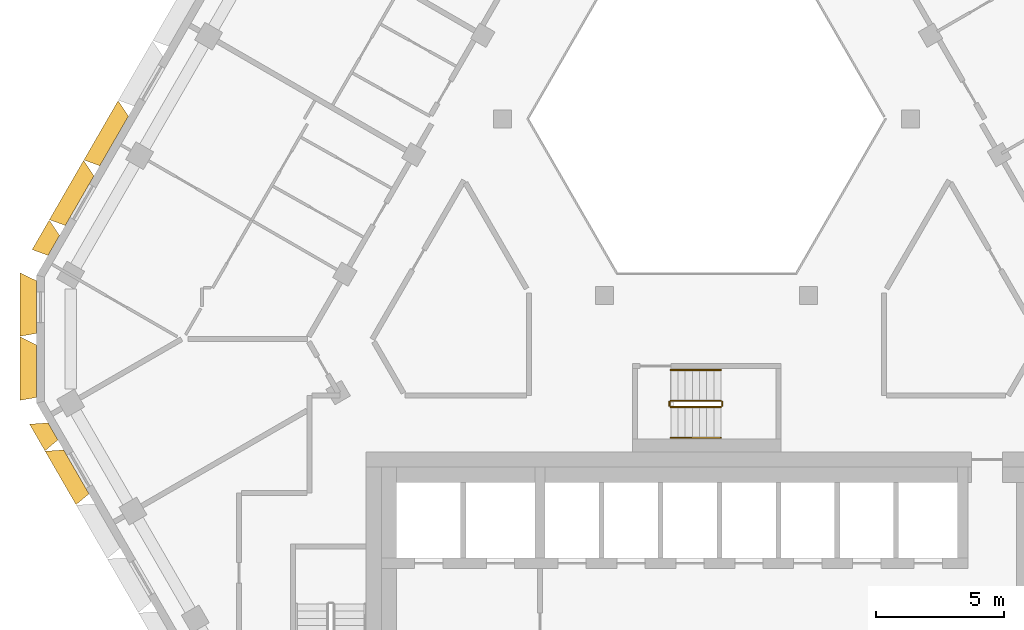
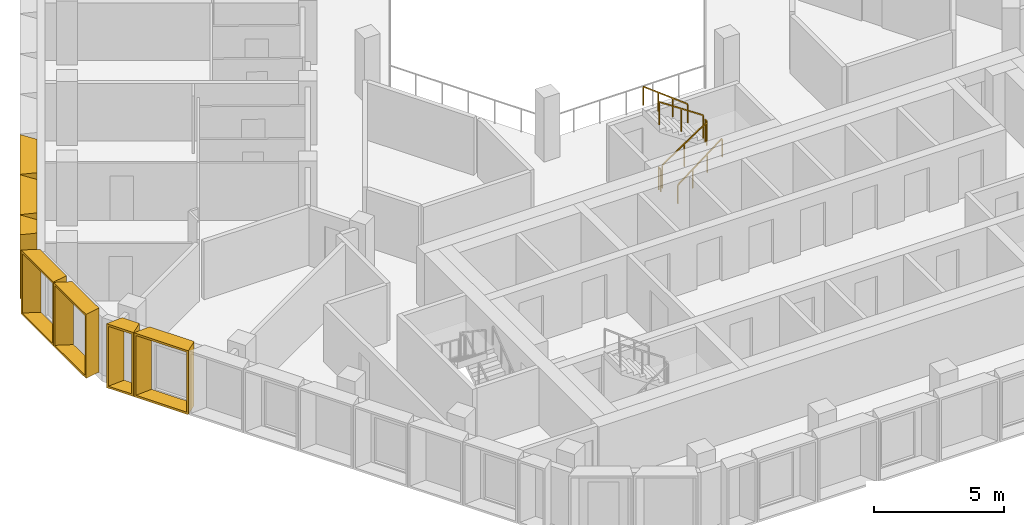
# One storey, part 12 of 15: 7 shading devices, 6 railings.
"""IFC4 building model written with IfcOpenShell, lengths in metres."""

from ifc_helpers import new_model, entity, si_unit, direction, frame, origin, origin_2d, place, context, subcontext, project, spatial, rectangle, extrude, source, transform, mapped, material, type_object, type_shapes, element, save


model = new_model("IFC4")

# Units and contexts
model_context = context("Model", 3, precision=1e-05, world=origin(), true_north=direction((0.0, 1.0)))
body_context = subcontext(model_context, "Body", "Model", "MODEL_VIEW")
ifc_project = project(units=[si_unit("LENGTHUNIT", "METRE"), si_unit("AREAUNIT", "SQUARE_METRE"), si_unit("VOLUMEUNIT", "CUBIC_METRE"), si_unit("PLANEANGLEUNIT", "RADIAN"), si_unit("MASSUNIT", "GRAM", prefix="KILO")], contexts=[model_context])

# Site, building, storey
site_placement = place(None, origin())
site = spatial("IfcSite", under=ifc_project, at=site_placement, CompositionType="ELEMENT")
building_placement = place(site_placement, origin())
building = spatial("IfcBuilding", under=site, at=building_placement, Name="Beryl Residences", CompositionType="ELEMENT")
storey_placement = place(building_placement, frame((0.0, 0.0, 163.199951171875)))
storey = spatial("IfcBuildingStorey", under=building, at=storey_placement, Name="L49", CompositionType="ELEMENT", Elevation=163.199951171875)

# Shading devices
ifc_material_1 = material(Name="Aluminium pale anodised", Category="aluminium")
shading_device_type_1 = type_object("IfcShadingDeviceType", Name="FR122-65B OUTER SKIN frame 650 mm deep, splay 26/10 deg, 1220 x 3000 mm cell", PredefinedType="USERDEFINED", material=ifc_material_1)
cartesian_point_1 = entity("IfcCartesianPoint", [-0.384033203125, 0.0])
cartesian_point_2 = entity("IfcCartesianPoint", [-0.294921875, 0.10009765625])
cartesian_point_3 = entity("IfcCartesianPoint", [-0.700927734375, 0.0])
cartesian_point_4 = entity("IfcCartesianPoint", [-0.612060546875, 0.10009765625])
shared_shape_1 = source(origin(), body_context, "Body", "SweptSolid", [
    entity("IfcExtrudedAreaSolidTapered", entity("IfcArbitraryProfileDefWithVoids", "AREA", None, entity("IfcPolyline", [cartesian_point_1, entity("IfcCartesianPoint", [0.384033203125, 0.0]), entity("IfcCartesianPoint", [0.384033203125, 3.0]), entity("IfcCartesianPoint", [-0.384033203125, 3.0]), cartesian_point_1]), [entity("IfcPolyline", [cartesian_point_2, entity("IfcCartesianPoint", [0.302734375, 0.10009765625]), entity("IfcCartesianPoint", [0.302734375, 2.89990234375]), entity("IfcCartesianPoint", [-0.294921875, 2.89990234375]), cartesian_point_2])]), entity("IfcAxis2Placement3D", entity("IfcCartesianPoint", [0.0, 0.0, 0.0]), entity("IfcDirection", [0.0, 1.0, 0.0]), entity("IfcDirection", [-1.0, 0.0, 0.0])), entity("IfcDirection", [0.0, 0.0, 1.0]), 0.64990234375, entity("IfcArbitraryProfileDefWithVoids", "AREA", None, entity("IfcPolyline", [cartesian_point_3, entity("IfcCartesianPoint", [0.49853515625, 0.0]), entity("IfcCartesianPoint", [0.49853515625, 3.0]), entity("IfcCartesianPoint", [-0.700927734375, 3.0]), cartesian_point_3]), [entity("IfcPolyline", [cartesian_point_4, entity("IfcCartesianPoint", [0.41748046875, 0.10009765625]), entity("IfcCartesianPoint", [0.41748046875, 2.89990234375]), entity("IfcCartesianPoint", [-0.612060546875, 2.89990234375]), cartesian_point_4])])),
])
type_shapes(shading_device_type_1, [shared_shape_1])
shading_device_1_placement = place(storey_placement, frame((-25.51708984375, -4.200927734375, 0.0), z_axis=(0.0, 0.0, 1.0), x_axis=(-0.5, 0.866025403784, 0.0)))
element("IfcShadingDevice", 1, at=shading_device_1_placement, inside=storey, type_object=shading_device_type_1, Name="FR122-65B frame L49 SW 1", ObjectType="OUTER SKIN", PredefinedType="USERDEFINED", context=body_context, shape_type="MappedRepresentation", body=[
    mapped(shared_shape_1, transform((0.0, 0.0, 0.0))),
])
ifc_material_2 = material(Name="Aluminium pale anodised", Category="aluminium")
shading_device_type_2 = type_object("IfcShadingDeviceType", Name="FR135-65B OUTER SKIN frame 650 mm deep, splay 26/10 deg, 1350 x 3000 mm cell", PredefinedType="USERDEFINED", material=ifc_material_2)
cartesian_point_5 = entity("IfcCartesianPoint", [-0.448974609375, 0.0])
cartesian_point_6 = entity("IfcCartesianPoint", [-0.360107421875, 0.10009765625])
cartesian_point_7 = entity("IfcCartesianPoint", [-0.76611328125, 0.0])
cartesian_point_8 = entity("IfcCartesianPoint", [-0.677001953125, 0.10009765625])
shared_shape_2 = source(origin(), body_context, "Body", "SweptSolid", [
    entity("IfcExtrudedAreaSolidTapered", entity("IfcArbitraryProfileDefWithVoids", "AREA", None, entity("IfcPolyline", [cartesian_point_5, entity("IfcCartesianPoint", [0.448974609375, 0.0]), entity("IfcCartesianPoint", [0.448974609375, 3.0]), entity("IfcCartesianPoint", [-0.448974609375, 3.0]), cartesian_point_5]), [entity("IfcPolyline", [cartesian_point_6, entity("IfcCartesianPoint", [0.36767578125, 0.10009765625]), entity("IfcCartesianPoint", [0.36767578125, 2.89990234375]), entity("IfcCartesianPoint", [-0.360107421875, 2.89990234375]), cartesian_point_6])]), entity("IfcAxis2Placement3D", entity("IfcCartesianPoint", [0.0, 0.0, 0.0]), entity("IfcDirection", [0.0, 1.0, 0.0]), entity("IfcDirection", [-1.0, 0.0, 0.0])), entity("IfcDirection", [0.0, 0.0, 1.0]), 0.64990234375, entity("IfcArbitraryProfileDefWithVoids", "AREA", None, entity("IfcPolyline", [cartesian_point_7, entity("IfcCartesianPoint", [0.563720703125, 0.0]), entity("IfcCartesianPoint", [0.563720703125, 3.0]), entity("IfcCartesianPoint", [-0.76611328125, 3.0]), cartesian_point_7]), [entity("IfcPolyline", [cartesian_point_8, entity("IfcCartesianPoint", [0.482421875, 0.10009765625]), entity("IfcCartesianPoint", [0.482421875, 2.89990234375]), entity("IfcCartesianPoint", [-0.677001953125, 2.89990234375]), cartesian_point_8])])),
])
type_shapes(shading_device_type_2, [shared_shape_2])
shading_device_2_placement = place(storey_placement, frame((-25.485107421875, 3.056884765625, 0.0), z_axis=(0.0, 0.0, 1.0), x_axis=(0.5, 0.866025403784, 0.0)))
element("IfcShadingDevice", 2, at=shading_device_2_placement, inside=storey, type_object=shading_device_type_2, Name="FR135-65B frame L49 NW 9", ObjectType="OUTER SKIN", PredefinedType="USERDEFINED", context=body_context, shape_type="MappedRepresentation", body=[
    mapped(shared_shape_2, transform((0.0, 0.0, 0.0))),
])
ifc_material_3 = material(Name="Aluminium pale anodised", Category="aluminium")
shading_device_type_3 = type_object("IfcShadingDeviceType", Name="FR243-65B OUTER SKIN frame 650 mm deep, splay 26/10 deg, 2430 x 3000 mm cell", PredefinedType="USERDEFINED", material=ifc_material_3)
cartesian_point_9 = entity("IfcCartesianPoint", [-0.989013671875, 0.0])
cartesian_point_10 = entity("IfcCartesianPoint", [-0.89990234375, 0.10009765625])
cartesian_point_11 = entity("IfcCartesianPoint", [-1.305908203125, 0.0])
cartesian_point_12 = entity("IfcCartesianPoint", [-1.217041015625, 0.10009765625])
shared_shape_3 = source(origin(), body_context, "Body", "SweptSolid", [
    entity("IfcExtrudedAreaSolidTapered", entity("IfcArbitraryProfileDefWithVoids", "AREA", None, entity("IfcPolyline", [cartesian_point_9, entity("IfcCartesianPoint", [0.989013671875, 0.0]), entity("IfcCartesianPoint", [0.989013671875, 3.0]), entity("IfcCartesianPoint", [-0.989013671875, 3.0]), cartesian_point_9]), [entity("IfcPolyline", [cartesian_point_10, entity("IfcCartesianPoint", [0.90771484375, 0.10009765625]), entity("IfcCartesianPoint", [0.90771484375, 2.89990234375]), entity("IfcCartesianPoint", [-0.89990234375, 2.89990234375]), cartesian_point_10])]), entity("IfcAxis2Placement3D", entity("IfcCartesianPoint", [0.0, 0.0, 0.0]), entity("IfcDirection", [0.0, 1.0, 0.0]), entity("IfcDirection", [-1.0, 0.0, 0.0])), entity("IfcDirection", [0.0, 0.0, 1.0]), 0.64990234375, entity("IfcArbitraryProfileDefWithVoids", "AREA", None, entity("IfcPolyline", [cartesian_point_11, entity("IfcCartesianPoint", [1.103515625, 0.0]), entity("IfcCartesianPoint", [1.103515625, 3.0]), entity("IfcCartesianPoint", [-1.305908203125, 3.0]), cartesian_point_11]), [entity("IfcPolyline", [cartesian_point_12, entity("IfcCartesianPoint", [1.0224609375, 0.10009765625]), entity("IfcCartesianPoint", [1.0224609375, 2.89990234375]), entity("IfcCartesianPoint", [-1.217041015625, 2.89990234375]), cartesian_point_12])])),
])
type_shapes(shading_device_type_3, [shared_shape_3])
shading_device_3_placement = place(storey_placement, frame((-24.60498046875, -5.781005859375, 0.0), z_axis=(0.0, 0.0, 1.0), x_axis=(-0.5, 0.866025403784, 0.0)))
element("IfcShadingDevice", 3, at=shading_device_3_placement, inside=storey, type_object=shading_device_type_3, Name="FR243-65B frame L49 SW 2", ObjectType="OUTER SKIN", PredefinedType="USERDEFINED", context=body_context, shape_type="MappedRepresentation", body=[
    mapped(shared_shape_3, transform((0.0, 0.0, 0.0))),
])
ifc_material_4 = material(Name="Aluminium pale anodised", Category="aluminium")
shading_device_type_4 = type_object("IfcShadingDeviceType", Name="FR250-65B OUTER SKIN frame 650 mm deep, splay 26/10 deg, 2500 x 3000 mm cell", PredefinedType="USERDEFINED", material=ifc_material_4)
cartesian_point_13 = entity("IfcCartesianPoint", [-1.02392578125, 0.0])
cartesian_point_14 = entity("IfcCartesianPoint", [-0.93505859375, 0.10009765625])
cartesian_point_15 = entity("IfcCartesianPoint", [-1.341064453125, 0.0])
cartesian_point_16 = entity("IfcCartesianPoint", [-1.251953125, 0.10009765625])
shared_shape_4 = source(origin(), body_context, "Body", "SweptSolid", [
    entity("IfcExtrudedAreaSolidTapered", entity("IfcArbitraryProfileDefWithVoids", "AREA", None, entity("IfcPolyline", [cartesian_point_13, entity("IfcCartesianPoint", [1.02392578125, 0.0]), entity("IfcCartesianPoint", [1.02392578125, 3.0]), entity("IfcCartesianPoint", [-1.02392578125, 3.0]), cartesian_point_13]), [entity("IfcPolyline", [cartesian_point_14, entity("IfcCartesianPoint", [0.94287109375, 0.10009765625]), entity("IfcCartesianPoint", [0.94287109375, 2.89990234375]), entity("IfcCartesianPoint", [-0.93505859375, 2.89990234375]), cartesian_point_14])]), entity("IfcAxis2Placement3D", entity("IfcCartesianPoint", [0.0, 0.0, 0.0]), entity("IfcDirection", [0.0, 1.0, 0.0]), entity("IfcDirection", [-1.0, 0.0, 0.0])), entity("IfcDirection", [0.0, 0.0, 1.0]), 0.64990234375, entity("IfcArbitraryProfileDefWithVoids", "AREA", None, entity("IfcPolyline", [cartesian_point_15, entity("IfcCartesianPoint", [1.138671875, 0.0]), entity("IfcCartesianPoint", [1.138671875, 3.0]), entity("IfcCartesianPoint", [-1.341064453125, 3.0]), cartesian_point_15]), [entity("IfcPolyline", [cartesian_point_16, entity("IfcCartesianPoint", [1.057373046875, 0.10009765625]), entity("IfcCartesianPoint", [1.057373046875, 2.89990234375]), entity("IfcCartesianPoint", [-1.251953125, 2.89990234375]), cartesian_point_16])])),
])
type_shapes(shading_device_type_4, [shared_shape_4])
for number, where, z_axis, x_axis, name in (
    (4, (-26.154052734375, 0.64990234375, 0.0), (0.0, 0.0, 1.0), (0.0, 1.0, 0.0), "FR250-65B frame L49 NW-SW 1"),
    (5, (-26.154052734375, -1.85009765625, 0.0), (0.0, 0.0, 1.0), (0.0, 1.0, 0.0), "FR250-65B frame L49 NW-SW 2"),
):
    element("IfcShadingDevice", number, at=place(storey_placement, frame(where, z_axis=z_axis, x_axis=x_axis)), inside=storey, type_object=shading_device_type_4, Name=name, ObjectType="OUTER SKIN", PredefinedType="USERDEFINED", context=body_context, shape_type="MappedRepresentation", body=[
        mapped(shared_shape_4, transform((0.0, 0.0, 0.0))),
    ])
ifc_material_5 = material(Name="Aluminium pale anodised", Category="aluminium")
shading_device_type_5 = type_object("IfcShadingDeviceType", Name="FR269-65B OUTER SKIN frame 650 mm deep, splay 26/10 deg, 2690 x 3000 mm cell", PredefinedType="USERDEFINED", material=ifc_material_5)
cartesian_point_17 = entity("IfcCartesianPoint", [-1.118896484375, 0.0])
cartesian_point_18 = entity("IfcCartesianPoint", [-1.030029296875, 0.10009765625])
cartesian_point_19 = entity("IfcCartesianPoint", [-1.43603515625, 0.0])
cartesian_point_20 = entity("IfcCartesianPoint", [-1.346923828125, 0.10009765625])
shared_shape_5 = source(origin(), body_context, "Body", "SweptSolid", [
    entity("IfcExtrudedAreaSolidTapered", entity("IfcArbitraryProfileDefWithVoids", "AREA", None, entity("IfcPolyline", [cartesian_point_17, entity("IfcCartesianPoint", [1.118896484375, 0.0]), entity("IfcCartesianPoint", [1.118896484375, 3.0]), entity("IfcCartesianPoint", [-1.118896484375, 3.0]), cartesian_point_17]), [entity("IfcPolyline", [cartesian_point_18, entity("IfcCartesianPoint", [1.037841796875, 0.10009765625]), entity("IfcCartesianPoint", [1.037841796875, 2.89990234375]), entity("IfcCartesianPoint", [-1.030029296875, 2.89990234375]), cartesian_point_18])]), entity("IfcAxis2Placement3D", entity("IfcCartesianPoint", [0.0, 0.0, 0.0]), entity("IfcDirection", [0.0, 1.0, 0.0]), entity("IfcDirection", [-1.0, 0.0, 0.0])), entity("IfcDirection", [0.0, 0.0, 1.0]), 0.64990234375, entity("IfcArbitraryProfileDefWithVoids", "AREA", None, entity("IfcPolyline", [cartesian_point_19, entity("IfcCartesianPoint", [1.233642578125, 0.0]), entity("IfcCartesianPoint", [1.233642578125, 3.0]), entity("IfcCartesianPoint", [-1.43603515625, 3.0]), cartesian_point_19]), [entity("IfcPolyline", [cartesian_point_20, entity("IfcCartesianPoint", [1.15234375, 0.10009765625]), entity("IfcCartesianPoint", [1.15234375, 2.89990234375]), entity("IfcCartesianPoint", [-1.346923828125, 2.89990234375]), cartesian_point_20])])),
])
type_shapes(shading_device_type_5, [shared_shape_5])
for number, where, z_axis, x_axis, name in (
    (6, (-23.1298828125, 7.136962890625, 0.0), (0.0, 0.0, 1.0), (0.5, 0.866025403784, 0.0), "FR269-65B frame L49 NW 7"),
    (7, (-24.47607421875, 4.805908203125, 0.0), (0.0, 0.0, 1.0), (0.5, 0.866025403784, 0.0), "FR269-65B frame L49 NW 8"),
):
    element("IfcShadingDevice", number, at=place(storey_placement, frame(where, z_axis=z_axis, x_axis=x_axis)), inside=storey, type_object=shading_device_type_5, Name=name, ObjectType="OUTER SKIN", PredefinedType="USERDEFINED", context=body_context, shape_type="MappedRepresentation", body=[
        mapped(shared_shape_5, transform((0.0, 0.0, 0.0))),
    ])

# Railings
ifc_material_6 = material(Name="Stainless steel balustrade with glass infill", Category="steel")
railing_type_1 = type_object("IfcRailingType", Name="SG1 stair guard 1100 mm", PredefinedType="GUARDRAIL", material=ifc_material_6)
railing_1_placement = place(storey_placement, frame((-1.39990234375, -3.25, 0.1875)))
element("IfcRailing", 8, at=railing_1_placement, inside=storey, type_object=railing_type_1, Name="L49 ST-4 stair guard 1", PredefinedType="GUARDRAIL", context=body_context, shape_type="SweptSolid", body=[
    extrude(rectangle(XDim=0.048095703125, YDim=0.048095703125, at=origin_2d()), frame((0.0, 0.0, 1.076171875), z_axis=(0.830902050051, 0.0, 0.556418712142), x_axis=(0.0, 1.0, 0.0)), (0.0, 0.0, 1.0), 2.35888671875),
    extrude(rectangle(XDim=0.0419921875, YDim=0.0419921875, at=origin_2d()), origin(), (0.0, 0.0, 1.0), 1.052001953125),
    extrude(rectangle(XDim=0.0419921875, YDim=0.0419921875, at=origin_2d()), frame((0.97998046875, 0.0, 0.65625)), (0.0, 0.0, 1.0), 1.052001953125),
    extrude(rectangle(XDim=0.0419921875, YDim=0.0419921875, at=origin_2d()), frame((1.9599609375, 0.0, 1.3125)), (0.0, 0.0, 1.0), 1.052001953125),
])
railing_2_placement = place(storey_placement, frame((0.610107421875, -3.199951171875, 1.5)))
element("IfcRailing", 9, at=railing_2_placement, inside=storey, type_object=railing_type_1, Name="L49 ST-4 stair guard 2", PredefinedType="GUARDRAIL", context=body_context, shape_type="SweptSolid", body=[
    extrude(rectangle(XDim=0.048095703125, YDim=0.048095703125, at=origin_2d()), frame((0.0, 0.0, 1.076171875), z_axis=(0.0, 1.0, 0.0), x_axis=(-1.0, 0.0, 0.0)), (0.0, 0.0, 1.0), 0.14990234375),
    extrude(rectangle(XDim=0.0419921875, YDim=0.0419921875, at=origin_2d()), origin(), (0.0, 0.0, 1.0), 1.052001953125),
    extrude(rectangle(XDim=0.0419921875, YDim=0.0419921875, at=origin_2d()), frame((0.0, 0.14990234375, 0.0)), (0.0, 0.0, 1.0), 1.052001953125),
])
railing_3_placement = place(storey_placement, frame((0.56005859375, -3.0, 1.6875)))
element("IfcRailing", 10, at=railing_3_placement, inside=storey, type_object=railing_type_1, Name="L49 ST-4 stair guard 3", PredefinedType="GUARDRAIL", context=body_context, shape_type="SweptSolid", body=[
    extrude(rectangle(XDim=0.048095703125, YDim=0.048095703125, at=origin_2d()), frame((0.0, 0.0, 1.076171875), z_axis=(-0.830902050051, 0.0, 0.556418712142), x_axis=(0.0, -1.0, 0.0)), (0.0, 0.0, 1.0), 2.35888671875),
    extrude(rectangle(XDim=0.0419921875, YDim=0.0419921875, at=origin_2d()), origin(), (0.0, 0.0, 1.0), 1.052001953125),
    extrude(rectangle(XDim=0.0419921875, YDim=0.0419921875, at=origin_2d()), frame((-0.97998046875, 0.0, 0.65625)), (0.0, 0.0, 1.0), 1.052001953125),
    extrude(rectangle(XDim=0.0419921875, YDim=0.0419921875, at=origin_2d()), frame((-1.9599609375, 0.0, 1.3125)), (0.0, 0.0, 1.0), 1.052001953125),
])
railing_4_placement = place(storey_placement, frame((-1.449951171875, -3.199951171875, 0.0)))
element("IfcRailing", 11, at=railing_4_placement, inside=storey, type_object=railing_type_1, Name="L49 ST-4 stair guard 4", PredefinedType="GUARDRAIL", context=body_context, shape_type="SweptSolid", body=[
    extrude(rectangle(XDim=0.048095703125, YDim=0.048095703125, at=origin_2d()), frame((0.0, 0.0, 1.076171875), z_axis=(0.0, 1.0, 0.0), x_axis=(-1.0, 0.0, 0.0)), (0.0, 0.0, 1.0), 0.14990234375),
    extrude(rectangle(XDim=0.0419921875, YDim=0.0419921875, at=origin_2d()), origin(), (0.0, 0.0, 1.0), 1.052001953125),
    extrude(rectangle(XDim=0.0419921875, YDim=0.0419921875, at=origin_2d()), frame((0.0, 0.14990234375, 0.0)), (0.0, 0.0, 1.0), 1.052001953125),
])
ifc_material_7 = material(Name="Stainless steel handrail", Category="steel")
railing_type_2 = type_object("IfcRailingType", Name="SRL1 stair handrail 900 mm", PredefinedType="HANDRAIL", material=ifc_material_7)
railing_5_placement = place(storey_placement, frame((-1.39990234375, -4.449951171875, 0.1875)))
element("IfcRailing", 12, at=railing_5_placement, inside=storey, type_object=railing_type_2, Name="L49 ST-4 stair handrail 1", PredefinedType="HANDRAIL", context=body_context, shape_type="SweptSolid", body=[
    extrude(rectangle(XDim=0.048095703125, YDim=0.048095703125, at=origin_2d()), frame((0.0, 0.0, 0.8759765625), z_axis=(0.794121922505, 0.0, 0.607758481798), x_axis=(0.0, 1.0, 0.0)), (0.0, 0.0, 1.0), 2.468017578125),
    extrude(rectangle(XDim=0.0419921875, YDim=0.0419921875, at=origin_2d()), origin(), (0.0, 0.0, 1.0), 0.851806640625),
    extrude(rectangle(XDim=0.0419921875, YDim=0.0419921875, at=origin_2d()), frame((0.6533203125, 0.0, 0.5)), (0.0, 0.0, 1.0), 0.851806640625),
    extrude(rectangle(XDim=0.0419921875, YDim=0.0419921875, at=origin_2d()), frame((1.306640625, 0.0, 1.0)), (0.0, 0.0, 1.0), 0.851806640625),
    extrude(rectangle(XDim=0.0419921875, YDim=0.0419921875, at=origin_2d()), frame((1.9599609375, 0.0, 1.5)), (0.0, 0.0, 1.0), 0.851806640625),
])
railing_6_placement = place(storey_placement, frame((0.56005859375, -1.800048828125, 1.6875)))
element("IfcRailing", 13, at=railing_6_placement, inside=storey, type_object=railing_type_2, Name="L49 ST-4 stair handrail 2", PredefinedType="HANDRAIL", context=body_context, shape_type="SweptSolid", body=[
    extrude(rectangle(XDim=0.048095703125, YDim=0.048095703125, at=origin_2d()), frame((0.0, 0.0, 0.8759765625), z_axis=(-0.794121922505, 0.0, 0.607758481798), x_axis=(0.0, -1.0, 0.0)), (0.0, 0.0, 1.0), 2.468017578125),
    extrude(rectangle(XDim=0.0419921875, YDim=0.0419921875, at=origin_2d()), origin(), (0.0, 0.0, 1.0), 0.851806640625),
    extrude(rectangle(XDim=0.0419921875, YDim=0.0419921875, at=origin_2d()), frame((-0.6533203125, 0.0, 0.5)), (0.0, 0.0, 1.0), 0.851806640625),
    extrude(rectangle(XDim=0.0419921875, YDim=0.0419921875, at=origin_2d()), frame((-1.306640625, 0.0, 1.0)), (0.0, 0.0, 1.0), 0.851806640625),
    extrude(rectangle(XDim=0.0419921875, YDim=0.0419921875, at=origin_2d()), frame((-1.9599609375, 0.0, 1.5)), (0.0, 0.0, 1.0), 0.851806640625),
])

save(model, "model.ifc")
